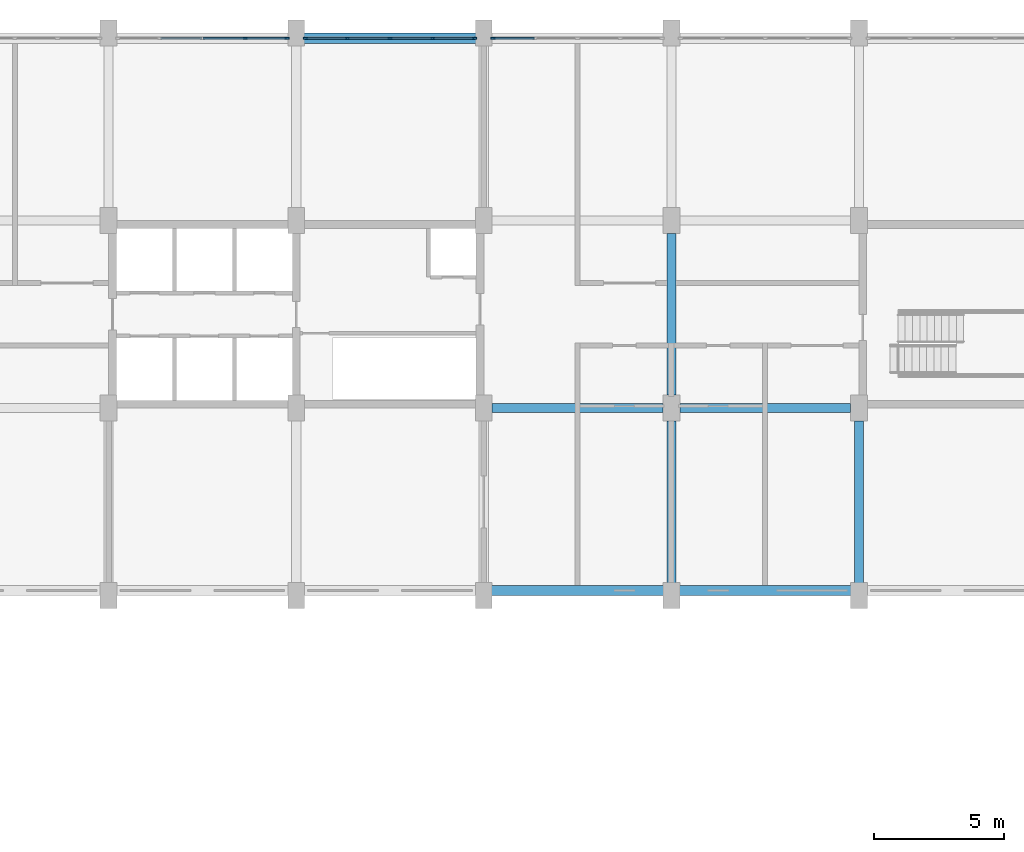
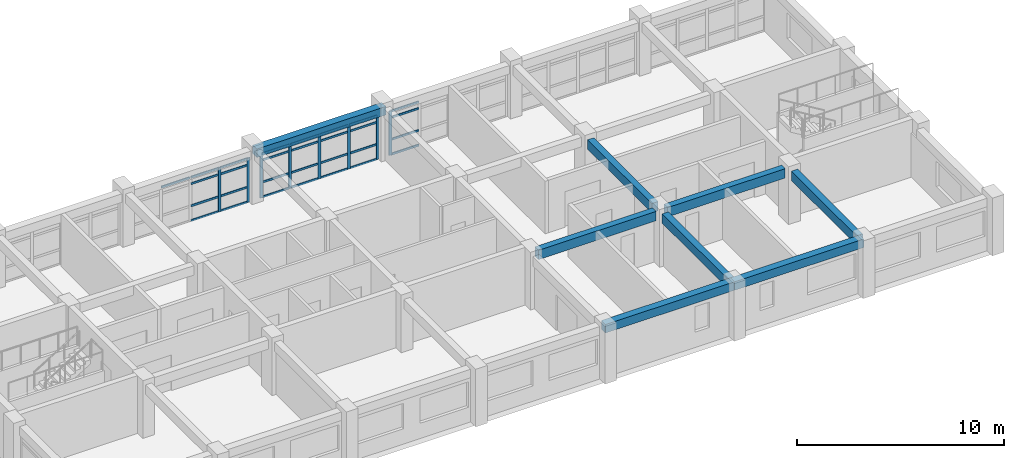
# One storey, part 7 of 19: 37 members, 8 beams, 3 elements without a shape of their own.
"""IFC4 building model written with IfcOpenShell, lengths in metres."""

from ifc_helpers import new_model, si_unit, direction, frame, origin, origin_2d, place, context, subcontext, project, spatial, rectangle, extrude, material, material_profile, profile_set, type_object, element, aggregate, save


model = new_model("IFC4")

# Units and contexts
model_context = context("Model", 3, precision=1e-05, world=origin(), true_north=direction((0.0, 1.0)))
body_context = subcontext(model_context, "Body", "Model", "MODEL_VIEW")
ifc_project = project(units=[si_unit("LENGTHUNIT", "METRE"), si_unit("AREAUNIT", "SQUARE_METRE"), si_unit("VOLUMEUNIT", "CUBIC_METRE"), si_unit("PLANEANGLEUNIT", "RADIAN"), si_unit("MASSUNIT", "GRAM", prefix="KILO")], contexts=[model_context])

# Site, building, storey
site_placement = place(None, origin())
site = spatial("IfcSite", under=ifc_project, at=site_placement, CompositionType="ELEMENT")
building_placement = place(site_placement, origin())
building = spatial("IfcBuilding", under=site, at=building_placement, Name="Vermilion Court Aquatics Centre", CompositionType="ELEMENT")
storey_placement = place(building_placement, frame((0.0, 0.0, 19.89990234375)))
storey = spatial("IfcBuildingStorey", under=building, at=storey_placement, Name="L04", CompositionType="ELEMENT", Elevation=19.89990234375)

# Curtain wall, members
ifc_material_1 = material(Name="Aluminium 6063-T5", Category="aluminium")
curtain_wall_type = type_object("IfcCurtainWallType", Name="North block glazed bay curtain wall 1800 module", PredefinedType="NOTDEFINED", material=ifc_material_1)
curtain_wall_1_placement = place(storey_placement, origin())
curtain_wall_1 = element("IfcCurtainWall", 1, at=curtain_wall_1_placement, inside=storey, type_object=curtain_wall_type, Name="North glazed bay 3 L04", PredefinedType="NOTDEFINED")
ifc_material_2 = material(Name="Aluminium 6063-T5", Category="aluminium")
ifc_material_profile_1 = material_profile(ifc_material_2, rectangle(XDim=0.06005859375, YDim=0.159912109375, at=origin_2d()), Name="AL 60x160")
ifc_profile_set_1 = profile_set([ifc_material_profile_1], Name="Aluminium 6063-T5")
member_type_1 = type_object("IfcMemberType", Name="North block curtain wall mullion 60x160", PredefinedType="MULLION", material=ifc_profile_set_1)
member_1_placement = place(storey_placement, frame((163.637451171875, 115.0, 0.0), z_axis=(0.0, 0.0, 1.0), x_axis=(0.0, 1.0, 0.0)))
member_1 = element("IfcMember", 2, at=member_1_placement, type_object=member_type_1, Name="UCW1 mullion 4", PredefinedType="MULLION", context=body_context, shape_type="SweptSolid", body=[
    extrude(rectangle(XDim=0.06005859375, YDim=0.159912109375, at=origin_2d()), origin(), (0.0, 0.0, 1.0), 2.60009765625),
])
member_2_placement = place(storey_placement, frame((165.2451171875, 115.0, 0.0), z_axis=(0.0, 0.0, 1.0), x_axis=(0.0, 1.0, 0.0)))
member_2 = element("IfcMember", 3, at=member_2_placement, type_object=member_type_1, Name="UCW1 mullion 5", PredefinedType="MULLION", context=body_context, shape_type="SweptSolid", body=[
    extrude(rectangle(XDim=0.06005859375, YDim=0.159912109375, at=origin_2d()), origin(), (0.0, 0.0, 1.0), 2.60009765625),
])

curtain_wall_2_placement = place(storey_placement, origin())
curtain_wall_2 = element("IfcCurtainWall", 4, at=curtain_wall_2_placement, inside=storey, type_object=curtain_wall_type, Name="North glazed bay 4 L04", PredefinedType="NOTDEFINED")
member_3_placement = place(storey_placement, frame((165.955078125, 115.0, 0.0), z_axis=(0.0, 0.0, 1.0), x_axis=(0.0, 1.0, 0.0)))
member_3 = element("IfcMember", 5, at=member_3_placement, type_object=member_type_1, Name="UCW1 mullion 1", PredefinedType="MULLION", context=body_context, shape_type="SweptSolid", body=[
    extrude(rectangle(XDim=0.06005859375, YDim=0.159912109375, at=origin_2d()), origin(), (0.0, 0.0, 1.0), 2.60009765625),
])
member_4_placement = place(storey_placement, frame((167.5625, 115.0, 0.0), z_axis=(0.0, 0.0, 1.0), x_axis=(0.0, 1.0, 0.0)))
member_4 = element("IfcMember", 6, at=member_4_placement, type_object=member_type_1, Name="UCW1 mullion 2", PredefinedType="MULLION", context=body_context, shape_type="SweptSolid", body=[
    extrude(rectangle(XDim=0.06005859375, YDim=0.159912109375, at=origin_2d()), origin(), (0.0, 0.0, 1.0), 2.60009765625),
])
member_5_placement = place(storey_placement, frame((169.199951171875, 115.0, 0.0), z_axis=(0.0, 0.0, 1.0), x_axis=(0.0, 1.0, 0.0)))
member_5 = element("IfcMember", 7, at=member_5_placement, type_object=member_type_1, Name="UCW1 mullion 3", PredefinedType="MULLION", context=body_context, shape_type="SweptSolid", body=[
    extrude(rectangle(XDim=0.06005859375, YDim=0.159912109375, at=origin_2d()), origin(), (0.0, 0.0, 1.0), 2.60009765625),
])
member_6_placement = place(storey_placement, frame((170.83740234375, 115.0, 0.0), z_axis=(0.0, 0.0, 1.0), x_axis=(0.0, 1.0, 0.0)))
member_6 = element("IfcMember", 8, at=member_6_placement, type_object=member_type_1, Name="UCW1 mullion 4", PredefinedType="MULLION", context=body_context, shape_type="SweptSolid", body=[
    extrude(rectangle(XDim=0.06005859375, YDim=0.159912109375, at=origin_2d()), origin(), (0.0, 0.0, 1.0), 2.60009765625),
])
member_7_placement = place(storey_placement, frame((172.445068359375, 115.0, 0.0), z_axis=(0.0, 0.0, 1.0), x_axis=(0.0, 1.0, 0.0)))
member_7 = element("IfcMember", 9, at=member_7_placement, type_object=member_type_1, Name="UCW1 mullion 5", PredefinedType="MULLION", context=body_context, shape_type="SweptSolid", body=[
    extrude(rectangle(XDim=0.06005859375, YDim=0.159912109375, at=origin_2d()), origin(), (0.0, 0.0, 1.0), 2.60009765625),
])

# Curtain wall, member
curtain_wall_3_placement = place(storey_placement, origin())
curtain_wall_3 = element("IfcCurtainWall", 10, at=curtain_wall_3_placement, inside=storey, type_object=curtain_wall_type, Name="North glazed bay 5 L04", PredefinedType="NOTDEFINED")
member_8_placement = place(storey_placement, frame((173.155029296875, 115.0, 0.0), z_axis=(0.0, 0.0, 1.0), x_axis=(0.0, 1.0, 0.0)))
member_8 = element("IfcMember", 11, at=member_8_placement, type_object=member_type_1, Name="UCW1 mullion 1", PredefinedType="MULLION", context=body_context, shape_type="SweptSolid", body=[
    extrude(rectangle(XDim=0.06005859375, YDim=0.159912109375, at=origin_2d()), origin(), (0.0, 0.0, 1.0), 2.60009765625),
])

# Member
ifc_material_3 = material(Name="Aluminium 6063-T5", Category="aluminium")
ifc_material_profile_2 = material_profile(ifc_material_3, rectangle(XDim=0.06005859375, YDim=0.1201171875, at=origin_2d()), Name="AL 60x120")
ifc_profile_set_2 = profile_set([ifc_material_profile_2], Name="Aluminium 6063-T5")
member_type_2 = type_object("IfcMemberType", Name="North block curtain wall transom 60x120", PredefinedType="USERDEFINED", material=ifc_profile_set_2)
member_9_placement = place(storey_placement, frame((160.392578125, 115.0, 2.570068359375), z_axis=(1.0, 0.0, 0.0), x_axis=(0.0, 1.0, 0.0)))
member_9 = element("IfcMember", 12, at=member_9_placement, type_object=member_type_2, Name="UCW1 transom 2.4", ObjectType="TRANSOM", PredefinedType="USERDEFINED", context=body_context, shape_type="SweptSolid", body=[
    extrude(rectangle(XDim=0.06005859375, YDim=0.1201171875, at=origin_2d()), origin(), (0.0, 0.0, 1.0), 1.577392578125),
])

member_10_placement = place(storey_placement, frame((162.030029296875, 115.0, 0.030029296875), z_axis=(1.0, 0.0, 0.0), x_axis=(0.0, 1.0, 0.0)))
member_10 = element("IfcMember", 13, at=member_10_placement, type_object=member_type_2, Name="UCW1 transom 3.1", ObjectType="TRANSOM", PredefinedType="USERDEFINED", context=body_context, shape_type="SweptSolid", body=[
    extrude(rectangle(XDim=0.06005859375, YDim=0.1201171875, at=origin_2d()), origin(), (0.0, 0.0, 1.0), 1.577392578125),
])

member_11_placement = place(storey_placement, frame((162.030029296875, 115.0, 0.900146484375), z_axis=(1.0, 0.0, 0.0), x_axis=(0.0, 1.0, 0.0)))
member_11 = element("IfcMember", 14, at=member_11_placement, type_object=member_type_2, Name="UCW1 transom 3.2", ObjectType="TRANSOM", PredefinedType="USERDEFINED", context=body_context, shape_type="SweptSolid", body=[
    extrude(rectangle(XDim=0.06005859375, YDim=0.1201171875, at=origin_2d()), origin(), (0.0, 0.0, 1.0), 1.577392578125),
])

member_12_placement = place(storey_placement, frame((162.030029296875, 115.0, 2.2001953125), z_axis=(1.0, 0.0, 0.0), x_axis=(0.0, 1.0, 0.0)))
member_12 = element("IfcMember", 15, at=member_12_placement, type_object=member_type_2, Name="UCW1 transom 3.3", ObjectType="TRANSOM", PredefinedType="USERDEFINED", context=body_context, shape_type="SweptSolid", body=[
    extrude(rectangle(XDim=0.06005859375, YDim=0.1201171875, at=origin_2d()), origin(), (0.0, 0.0, 1.0), 1.577392578125),
])

member_13_placement = place(storey_placement, frame((162.030029296875, 115.0, 2.570068359375), z_axis=(1.0, 0.0, 0.0), x_axis=(0.0, 1.0, 0.0)))
member_13 = element("IfcMember", 16, at=member_13_placement, type_object=member_type_2, Name="UCW1 transom 3.4", ObjectType="TRANSOM", PredefinedType="USERDEFINED", context=body_context, shape_type="SweptSolid", body=[
    extrude(rectangle(XDim=0.06005859375, YDim=0.1201171875, at=origin_2d()), origin(), (0.0, 0.0, 1.0), 1.577392578125),
])

member_14_placement = place(storey_placement, frame((163.66748046875, 115.0, 0.030029296875), z_axis=(1.0, 0.0, 0.0), x_axis=(0.0, 1.0, 0.0)))
member_14 = element("IfcMember", 17, at=member_14_placement, type_object=member_type_2, Name="UCW1 transom 4.1", ObjectType="TRANSOM", PredefinedType="USERDEFINED", context=body_context, shape_type="SweptSolid", body=[
    extrude(rectangle(XDim=0.06005859375, YDim=0.1201171875, at=origin_2d()), origin(), (0.0, 0.0, 1.0), 1.547607421875),
])

member_15_placement = place(storey_placement, frame((163.66748046875, 115.0, 0.900146484375), z_axis=(1.0, 0.0, 0.0), x_axis=(0.0, 1.0, 0.0)))
member_15 = element("IfcMember", 18, at=member_15_placement, type_object=member_type_2, Name="UCW1 transom 4.2", ObjectType="TRANSOM", PredefinedType="USERDEFINED", context=body_context, shape_type="SweptSolid", body=[
    extrude(rectangle(XDim=0.06005859375, YDim=0.1201171875, at=origin_2d()), origin(), (0.0, 0.0, 1.0), 1.547607421875),
])

member_16_placement = place(storey_placement, frame((163.66748046875, 115.0, 2.2001953125), z_axis=(1.0, 0.0, 0.0), x_axis=(0.0, 1.0, 0.0)))
member_16 = element("IfcMember", 19, at=member_16_placement, type_object=member_type_2, Name="UCW1 transom 4.3", ObjectType="TRANSOM", PredefinedType="USERDEFINED", context=body_context, shape_type="SweptSolid", body=[
    extrude(rectangle(XDim=0.06005859375, YDim=0.1201171875, at=origin_2d()), origin(), (0.0, 0.0, 1.0), 1.547607421875),
])

member_17_placement = place(storey_placement, frame((163.66748046875, 115.0, 2.570068359375), z_axis=(1.0, 0.0, 0.0), x_axis=(0.0, 1.0, 0.0)))
member_17 = element("IfcMember", 20, at=member_17_placement, type_object=member_type_2, Name="UCW1 transom 4.4", ObjectType="TRANSOM", PredefinedType="USERDEFINED", context=body_context, shape_type="SweptSolid", body=[
    extrude(rectangle(XDim=0.06005859375, YDim=0.1201171875, at=origin_2d()), origin(), (0.0, 0.0, 1.0), 1.547607421875),
])

aggregate(curtain_wall_1, [member_1, member_2, member_9, member_10, member_11, member_12, member_13, member_14, member_15, member_16, member_17])

member_18_placement = place(storey_placement, frame((165.985107421875, 115.0, 0.030029296875), z_axis=(1.0, 0.0, 0.0), x_axis=(0.0, 1.0, 0.0)))
member_18 = element("IfcMember", 21, at=member_18_placement, type_object=member_type_2, Name="UCW1 transom 1.1", ObjectType="TRANSOM", PredefinedType="USERDEFINED", context=body_context, shape_type="SweptSolid", body=[
    extrude(rectangle(XDim=0.06005859375, YDim=0.1201171875, at=origin_2d()), origin(), (0.0, 0.0, 1.0), 1.54736328125),
])

member_19_placement = place(storey_placement, frame((165.985107421875, 115.0, 0.900146484375), z_axis=(1.0, 0.0, 0.0), x_axis=(0.0, 1.0, 0.0)))
member_19 = element("IfcMember", 22, at=member_19_placement, type_object=member_type_2, Name="UCW1 transom 1.2", ObjectType="TRANSOM", PredefinedType="USERDEFINED", context=body_context, shape_type="SweptSolid", body=[
    extrude(rectangle(XDim=0.06005859375, YDim=0.1201171875, at=origin_2d()), origin(), (0.0, 0.0, 1.0), 1.54736328125),
])

member_20_placement = place(storey_placement, frame((165.985107421875, 115.0, 2.2001953125), z_axis=(1.0, 0.0, 0.0), x_axis=(0.0, 1.0, 0.0)))
member_20 = element("IfcMember", 23, at=member_20_placement, type_object=member_type_2, Name="UCW1 transom 1.3", ObjectType="TRANSOM", PredefinedType="USERDEFINED", context=body_context, shape_type="SweptSolid", body=[
    extrude(rectangle(XDim=0.06005859375, YDim=0.1201171875, at=origin_2d()), origin(), (0.0, 0.0, 1.0), 1.54736328125),
])

member_21_placement = place(storey_placement, frame((165.985107421875, 115.0, 2.570068359375), z_axis=(1.0, 0.0, 0.0), x_axis=(0.0, 1.0, 0.0)))
member_21 = element("IfcMember", 24, at=member_21_placement, type_object=member_type_2, Name="UCW1 transom 1.4", ObjectType="TRANSOM", PredefinedType="USERDEFINED", context=body_context, shape_type="SweptSolid", body=[
    extrude(rectangle(XDim=0.06005859375, YDim=0.1201171875, at=origin_2d()), origin(), (0.0, 0.0, 1.0), 1.54736328125),
])

member_22_placement = place(storey_placement, frame((167.592529296875, 115.0, 0.030029296875), z_axis=(1.0, 0.0, 0.0), x_axis=(0.0, 1.0, 0.0)))
member_22 = element("IfcMember", 25, at=member_22_placement, type_object=member_type_2, Name="UCW1 transom 2.1", ObjectType="TRANSOM", PredefinedType="USERDEFINED", context=body_context, shape_type="SweptSolid", body=[
    extrude(rectangle(XDim=0.06005859375, YDim=0.1201171875, at=origin_2d()), origin(), (0.0, 0.0, 1.0), 1.577392578125),
])

member_23_placement = place(storey_placement, frame((167.592529296875, 115.0, 0.900146484375), z_axis=(1.0, 0.0, 0.0), x_axis=(0.0, 1.0, 0.0)))
member_23 = element("IfcMember", 26, at=member_23_placement, type_object=member_type_2, Name="UCW1 transom 2.2", ObjectType="TRANSOM", PredefinedType="USERDEFINED", context=body_context, shape_type="SweptSolid", body=[
    extrude(rectangle(XDim=0.06005859375, YDim=0.1201171875, at=origin_2d()), origin(), (0.0, 0.0, 1.0), 1.577392578125),
])

member_24_placement = place(storey_placement, frame((167.592529296875, 115.0, 2.2001953125), z_axis=(1.0, 0.0, 0.0), x_axis=(0.0, 1.0, 0.0)))
member_24 = element("IfcMember", 27, at=member_24_placement, type_object=member_type_2, Name="UCW1 transom 2.3", ObjectType="TRANSOM", PredefinedType="USERDEFINED", context=body_context, shape_type="SweptSolid", body=[
    extrude(rectangle(XDim=0.06005859375, YDim=0.1201171875, at=origin_2d()), origin(), (0.0, 0.0, 1.0), 1.577392578125),
])

member_25_placement = place(storey_placement, frame((167.592529296875, 115.0, 2.570068359375), z_axis=(1.0, 0.0, 0.0), x_axis=(0.0, 1.0, 0.0)))
member_25 = element("IfcMember", 28, at=member_25_placement, type_object=member_type_2, Name="UCW1 transom 2.4", ObjectType="TRANSOM", PredefinedType="USERDEFINED", context=body_context, shape_type="SweptSolid", body=[
    extrude(rectangle(XDim=0.06005859375, YDim=0.1201171875, at=origin_2d()), origin(), (0.0, 0.0, 1.0), 1.577392578125),
])

member_26_placement = place(storey_placement, frame((169.22998046875, 115.0, 0.030029296875), z_axis=(1.0, 0.0, 0.0), x_axis=(0.0, 1.0, 0.0)))
member_26 = element("IfcMember", 29, at=member_26_placement, type_object=member_type_2, Name="UCW1 transom 3.1", ObjectType="TRANSOM", PredefinedType="USERDEFINED", context=body_context, shape_type="SweptSolid", body=[
    extrude(rectangle(XDim=0.06005859375, YDim=0.1201171875, at=origin_2d()), origin(), (0.0, 0.0, 1.0), 1.57763671875),
])

member_27_placement = place(storey_placement, frame((169.22998046875, 115.0, 0.900146484375), z_axis=(1.0, 0.0, 0.0), x_axis=(0.0, 1.0, 0.0)))
member_27 = element("IfcMember", 30, at=member_27_placement, type_object=member_type_2, Name="UCW1 transom 3.2", ObjectType="TRANSOM", PredefinedType="USERDEFINED", context=body_context, shape_type="SweptSolid", body=[
    extrude(rectangle(XDim=0.06005859375, YDim=0.1201171875, at=origin_2d()), origin(), (0.0, 0.0, 1.0), 1.57763671875),
])

member_28_placement = place(storey_placement, frame((169.22998046875, 115.0, 2.2001953125), z_axis=(1.0, 0.0, 0.0), x_axis=(0.0, 1.0, 0.0)))
member_28 = element("IfcMember", 31, at=member_28_placement, type_object=member_type_2, Name="UCW1 transom 3.3", ObjectType="TRANSOM", PredefinedType="USERDEFINED", context=body_context, shape_type="SweptSolid", body=[
    extrude(rectangle(XDim=0.06005859375, YDim=0.1201171875, at=origin_2d()), origin(), (0.0, 0.0, 1.0), 1.57763671875),
])

member_29_placement = place(storey_placement, frame((169.22998046875, 115.0, 2.570068359375), z_axis=(1.0, 0.0, 0.0), x_axis=(0.0, 1.0, 0.0)))
member_29 = element("IfcMember", 32, at=member_29_placement, type_object=member_type_2, Name="UCW1 transom 3.4", ObjectType="TRANSOM", PredefinedType="USERDEFINED", context=body_context, shape_type="SweptSolid", body=[
    extrude(rectangle(XDim=0.06005859375, YDim=0.1201171875, at=origin_2d()), origin(), (0.0, 0.0, 1.0), 1.57763671875),
])

member_30_placement = place(storey_placement, frame((170.867431640625, 115.0, 0.030029296875), z_axis=(1.0, 0.0, 0.0), x_axis=(0.0, 1.0, 0.0)))
member_30 = element("IfcMember", 33, at=member_30_placement, type_object=member_type_2, Name="UCW1 transom 4.1", ObjectType="TRANSOM", PredefinedType="USERDEFINED", context=body_context, shape_type="SweptSolid", body=[
    extrude(rectangle(XDim=0.06005859375, YDim=0.1201171875, at=origin_2d()), origin(), (0.0, 0.0, 1.0), 1.547607421875),
])

member_31_placement = place(storey_placement, frame((170.867431640625, 115.0, 0.900146484375), z_axis=(1.0, 0.0, 0.0), x_axis=(0.0, 1.0, 0.0)))
member_31 = element("IfcMember", 34, at=member_31_placement, type_object=member_type_2, Name="UCW1 transom 4.2", ObjectType="TRANSOM", PredefinedType="USERDEFINED", context=body_context, shape_type="SweptSolid", body=[
    extrude(rectangle(XDim=0.06005859375, YDim=0.1201171875, at=origin_2d()), origin(), (0.0, 0.0, 1.0), 1.547607421875),
])

member_32_placement = place(storey_placement, frame((170.867431640625, 115.0, 2.2001953125), z_axis=(1.0, 0.0, 0.0), x_axis=(0.0, 1.0, 0.0)))
member_32 = element("IfcMember", 35, at=member_32_placement, type_object=member_type_2, Name="UCW1 transom 4.3", ObjectType="TRANSOM", PredefinedType="USERDEFINED", context=body_context, shape_type="SweptSolid", body=[
    extrude(rectangle(XDim=0.06005859375, YDim=0.1201171875, at=origin_2d()), origin(), (0.0, 0.0, 1.0), 1.547607421875),
])

member_33_placement = place(storey_placement, frame((170.867431640625, 115.0, 2.570068359375), z_axis=(1.0, 0.0, 0.0), x_axis=(0.0, 1.0, 0.0)))
member_33 = element("IfcMember", 36, at=member_33_placement, type_object=member_type_2, Name="UCW1 transom 4.4", ObjectType="TRANSOM", PredefinedType="USERDEFINED", context=body_context, shape_type="SweptSolid", body=[
    extrude(rectangle(XDim=0.06005859375, YDim=0.1201171875, at=origin_2d()), origin(), (0.0, 0.0, 1.0), 1.547607421875),
])

aggregate(curtain_wall_2, [member_3, member_4, member_5, member_6, member_7, member_18, member_19, member_20, member_21, member_22, member_23, member_24, member_25, member_26, member_27, member_28, member_29, member_30, member_31, member_32, member_33])

member_34_placement = place(storey_placement, frame((173.18505859375, 115.0, 0.030029296875), z_axis=(1.0, 0.0, 0.0), x_axis=(0.0, 1.0, 0.0)))
member_34 = element("IfcMember", 37, at=member_34_placement, type_object=member_type_2, Name="UCW1 transom 1.1", ObjectType="TRANSOM", PredefinedType="USERDEFINED", context=body_context, shape_type="SweptSolid", body=[
    extrude(rectangle(XDim=0.06005859375, YDim=0.1201171875, at=origin_2d()), origin(), (0.0, 0.0, 1.0), 1.54736328125),
])

member_35_placement = place(storey_placement, frame((173.18505859375, 115.0, 0.900146484375), z_axis=(1.0, 0.0, 0.0), x_axis=(0.0, 1.0, 0.0)))
member_35 = element("IfcMember", 38, at=member_35_placement, type_object=member_type_2, Name="UCW1 transom 1.2", ObjectType="TRANSOM", PredefinedType="USERDEFINED", context=body_context, shape_type="SweptSolid", body=[
    extrude(rectangle(XDim=0.06005859375, YDim=0.1201171875, at=origin_2d()), origin(), (0.0, 0.0, 1.0), 1.54736328125),
])

member_36_placement = place(storey_placement, frame((173.18505859375, 115.0, 2.2001953125), z_axis=(1.0, 0.0, 0.0), x_axis=(0.0, 1.0, 0.0)))
member_36 = element("IfcMember", 39, at=member_36_placement, type_object=member_type_2, Name="UCW1 transom 1.3", ObjectType="TRANSOM", PredefinedType="USERDEFINED", context=body_context, shape_type="SweptSolid", body=[
    extrude(rectangle(XDim=0.06005859375, YDim=0.1201171875, at=origin_2d()), origin(), (0.0, 0.0, 1.0), 1.54736328125),
])

member_37_placement = place(storey_placement, frame((173.18505859375, 115.0, 2.570068359375), z_axis=(1.0, 0.0, 0.0), x_axis=(0.0, 1.0, 0.0)))
member_37 = element("IfcMember", 40, at=member_37_placement, type_object=member_type_2, Name="UCW1 transom 1.4", ObjectType="TRANSOM", PredefinedType="USERDEFINED", context=body_context, shape_type="SweptSolid", body=[
    extrude(rectangle(XDim=0.06005859375, YDim=0.1201171875, at=origin_2d()), origin(), (0.0, 0.0, 1.0), 1.54736328125),
])

aggregate(curtain_wall_3, [member_8, member_34, member_35, member_36, member_37])

# Beams
ifc_material_4 = material(Name="Concrete 5000 psi", Category="concrete")
ifc_material_profile_3 = material_profile(ifc_material_4, rectangle(XDim=0.35009765625, YDim=0.550048828125, at=origin_2d()), Name="RC 350x550")
ifc_profile_set_3 = profile_set([ifc_material_profile_3], Name="Concrete 5000 psi")
beam_type_1 = type_object("IfcBeamType", Name="North block floor girder 350x550", PredefinedType="BEAM", material=ifc_profile_set_3)
for number, where, z_axis, x_axis, name in (
    (41, (173.125, 100.800048828125, 2.8251953125), (1.0, 0.0, 0.0), (0.0, 1.0, 0.0), "Floor beam ROOF x100.8"),
    (42, (180.324951171875, 100.800048828125, 2.8251953125), (1.0, 0.0, 0.0), (0.0, 1.0, 0.0), "Floor beam ROOF x100.8"),
):
    element("IfcBeam", number, at=place(storey_placement, frame(where, z_axis=z_axis, x_axis=x_axis)), inside=storey, type_object=beam_type_1, Name=name, PredefinedType="BEAM", context=body_context, shape_type="SweptSolid", body=[
        extrude(rectangle(XDim=0.35009765625, YDim=0.550048828125, at=origin_2d()), origin(), (0.0, 0.0, 1.0), 6.550048828125),
    ])
beam_1_placement = place(storey_placement, frame((180.0, 94.0, 2.8251953125), z_axis=(0.0, 1.0, 0.0), x_axis=(-1.0, 0.0, 0.0)))
element("IfcBeam", 43, at=beam_1_placement, inside=storey, type_object=beam_type_1, Name="Floor beam ROOF y180", PredefinedType="BEAM", context=body_context, shape_type="SweptSolid", body=[
    extrude(rectangle(XDim=0.35009765625, YDim=0.550048828125, at=origin_2d()), origin(), (0.0, 0.0, 1.0), 6.300048828125),
])
beam_2_placement = place(storey_placement, frame((180.0, 101.300048828125, 2.8251953125), z_axis=(0.0, 1.0, 0.0), x_axis=(-1.0, 0.0, 0.0)))
element("IfcBeam", 44, at=beam_2_placement, inside=storey, type_object=beam_type_1, Name="Floor beam ROOF y180", PredefinedType="BEAM", context=body_context, shape_type="SweptSolid", body=[
    extrude(rectangle(XDim=0.35009765625, YDim=0.550048828125, at=origin_2d()), origin(), (0.0, 0.0, 1.0), 6.199951171875),
])
beam_3_placement = place(storey_placement, frame((187.199951171875, 94.0, 2.8251953125), z_axis=(0.0, 1.0, 0.0), x_axis=(-1.0, 0.0, 0.0)))
element("IfcBeam", 45, at=beam_3_placement, inside=storey, type_object=beam_type_1, Name="Floor beam ROOF y187.2", PredefinedType="BEAM", context=body_context, shape_type="SweptSolid", body=[
    extrude(rectangle(XDim=0.35009765625, YDim=0.550048828125, at=origin_2d()), origin(), (0.0, 0.0, 1.0), 6.300048828125),
])
ifc_material_5 = material(Name="Concrete 6000 psi", Category="concrete")
ifc_material_profile_4 = material_profile(ifc_material_5, rectangle(XDim=0.39990234375, YDim=0.5, at=origin_2d()), Name="RC 400x500")
ifc_profile_set_4 = profile_set([ifc_material_profile_4], Name="Concrete 6000 psi")
beam_type_2 = type_object("IfcBeamType", Name="North block spandrel beam 400x500", PredefinedType="BEAM", material=ifc_profile_set_4)
for number, where, z_axis, x_axis, name in (
    (46, (172.800048828125, 93.800048828125, 2.85009765625), (1.0, 0.0, 0.0), (0.0, 1.0, 0.0), "Spandrel beam ROOF x93.6"),
    (47, (180.0, 93.800048828125, 2.85009765625), (1.0, 0.0, 0.0), (0.0, 1.0, 0.0), "Spandrel beam ROOF x93.6"),
    (48, (165.60009765625, 115.0, 2.85009765625), (1.0, 0.0, 0.0), (0.0, 1.0, 0.0), "Spandrel beam ROOF x115.2"),
):
    element("IfcBeam", number, at=place(storey_placement, frame(where, z_axis=z_axis, x_axis=x_axis)), inside=storey, type_object=beam_type_2, Name=name, PredefinedType="BEAM", context=body_context, shape_type="SweptSolid", body=[
        extrude(rectangle(XDim=0.39990234375, YDim=0.5, at=origin_2d()), origin(), (0.0, 0.0, 1.0), 7.199951171875),
    ])

save(model, "model.ifc")
